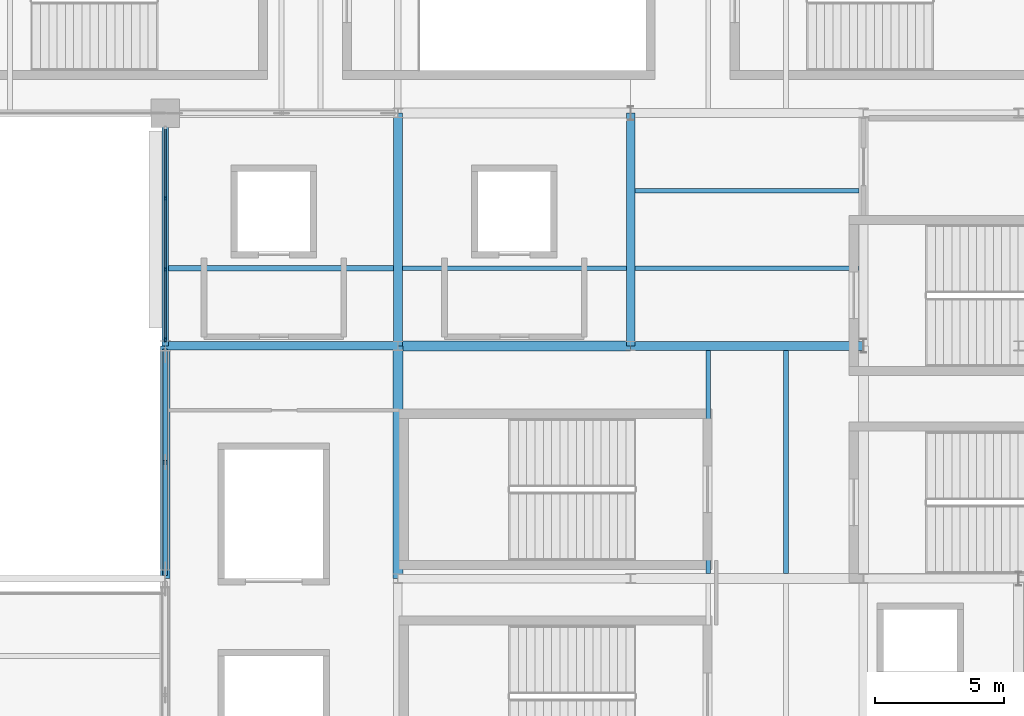
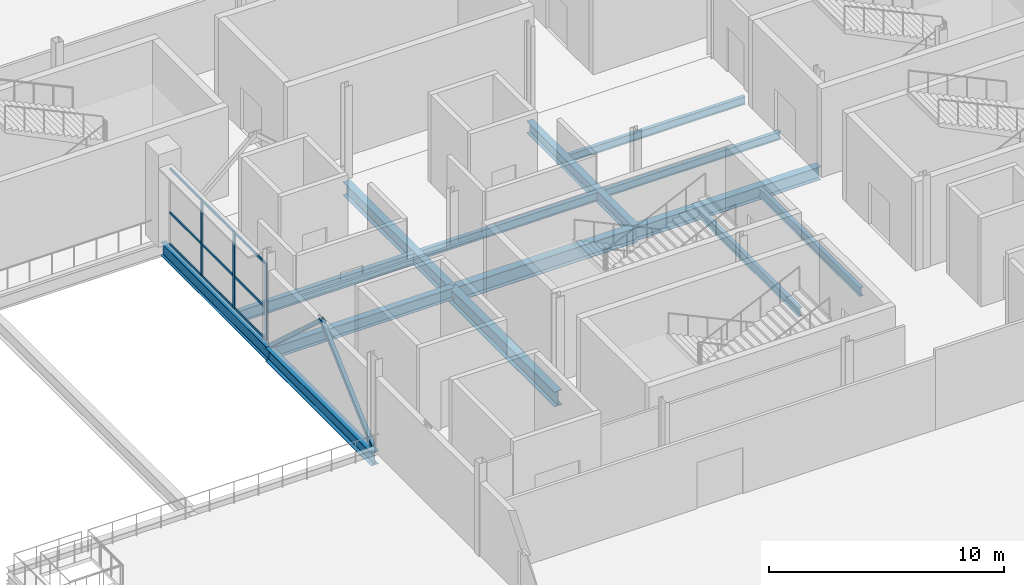
# One storey, part 26 of 69: 14 beams, 14 members, 1 element without a shape of its own.
"""IFC4 building model written with IfcOpenShell, lengths in metres."""

from ifc_helpers import new_model, si_unit, direction, frame, origin, origin_2d, place, context, subcontext, project, spatial, rectangle, hollow_rectangle, i_section, extrude, material, layer, layer_set, material_profile, profile_set, type_object, element, aggregate, save


model = new_model("IFC4")

# Units and contexts
model_context = context("Model", 3, precision=1e-05, world=origin(), true_north=direction((0.0, 1.0)))
body_context = subcontext(model_context, "Body", "Model", "MODEL_VIEW")
ifc_project = project(units=[si_unit("LENGTHUNIT", "METRE"), si_unit("AREAUNIT", "SQUARE_METRE"), si_unit("VOLUMEUNIT", "CUBIC_METRE"), si_unit("PLANEANGLEUNIT", "RADIAN"), si_unit("MASSUNIT", "GRAM", prefix="KILO")], contexts=[model_context])

# Site, building, storey
site_placement = place(None, origin())
site = spatial("IfcSite", under=ifc_project, at=site_placement, CompositionType="ELEMENT")
building_placement = place(site_placement, origin())
building = spatial("IfcBuilding", under=site, at=building_placement, Name="Qamarlyn Nura Convention Centre", CompositionType="ELEMENT")
storey_placement = place(building_placement, frame((0.0, 0.0, 15.60009765625)))
storey = spatial("IfcBuildingStorey", under=building, at=storey_placement, Name="L03", CompositionType="ELEMENT", Elevation=15.60009765625)

# Beams
ifc_material_1 = material(Name="Steel ASTM A992", Category="steel")
ifc_material_profile_1 = material_profile(ifc_material_1, i_section(OverallWidth=0.323974609375, OverallDepth=0.611083984375, WebThickness=0.0126953125, FlangeThickness=0.01904296875, FilletRadius=0.01611328125, at=origin_2d()), Name="W610X155")
ifc_profile_set_1 = profile_set([ifc_material_profile_1], Name="Steel ASTM A992")
beam_type_1 = type_object("IfcBeamType", Name="BM-GIRD-610", PredefinedType="BEAM", material=ifc_profile_set_1)
for number, where, z_axis, x_axis, name in (
    (1, (153.0, 72.0, -0.505615234375), (1.0, 0.0, 0.0), (0.0, 1.0, 0.0), "L03 girder J 13-14"),
    (2, (171.0, 72.0, -0.505615234375), (0.0, 1.0, 0.0), (-1.0, 0.0, 0.0), "L03 girder 15 J-K"),
):
    element("IfcBeam", number, at=place(storey_placement, frame(where, z_axis=z_axis, x_axis=x_axis)), inside=storey, type_object=beam_type_1, Name=name, PredefinedType="BEAM", context=body_context, shape_type="SweptSolid", body=[
        extrude(i_section(OverallWidth=0.323974609375, OverallDepth=0.611083984375, WebThickness=0.0126953125, FlangeThickness=0.01904296875, FilletRadius=0.01611328125, at=origin_2d()), origin(), (0.0, 0.0, 1.0), 9.0),
    ])
ifc_material_profile_2 = material_profile(ifc_material_1, i_section(OverallWidth=0.35498046875, OverallDepth=0.695068359375, WebThickness=0.015380859375, FlangeThickness=0.02490234375, FilletRadius=0.01806640625, at=origin_2d()), Name="W690X217")
ifc_profile_set_2 = profile_set([ifc_material_profile_2], Name="Steel ASTM A992")
beam_type_2 = type_object("IfcBeamType", Name="BM-GIRD-690A", PredefinedType="BEAM", material=ifc_profile_set_2)
for number, where, z_axis, x_axis, name in (
    (3, (171.0, 72.0, -0.547607421875), (1.0, 0.0, 0.0), (0.0, 1.0, 0.0), "L03 girder J 15-16"),
    (4, (153.0, 63.0, -0.547607421875), (0.0, 1.0, 0.0), (-1.0, 0.0, 0.0), "L03 girder 13 H-J"),
    (5, (162.0, 72.0, -0.547607421875), (0.0, 1.0, 0.0), (-1.0, 0.0, 0.0), "L03 girder 14 J-K"),
):
    element("IfcBeam", number, at=place(storey_placement, frame(where, z_axis=z_axis, x_axis=x_axis)), inside=storey, type_object=beam_type_2, Name=name, PredefinedType="BEAM", context=body_context, shape_type="SweptSolid", body=[
        extrude(i_section(OverallWidth=0.35498046875, OverallDepth=0.695068359375, WebThickness=0.015380859375, FlangeThickness=0.02490234375, FilletRadius=0.01806640625, at=origin_2d()), origin(), (0.0, 0.0, 1.0), 9.0),
    ])
ifc_material_profile_3 = material_profile(ifc_material_1, i_section(OverallWidth=0.25390625, OverallDepth=0.68408203125, WebThickness=0.012451171875, FlangeThickness=0.01904296875, FilletRadius=0.01806640625, at=origin_2d()), Name="W690X140")
ifc_profile_set_3 = profile_set([ifc_material_profile_3], Name="Steel ASTM A992")
beam_type_3 = type_object("IfcBeamType", Name="BM-GIRD-690B", PredefinedType="BEAM", material=ifc_profile_set_3)
beam_1_placement = place(storey_placement, frame((153.0, 72.0, -0.5419921875), z_axis=(0.0, 1.0, 0.0), x_axis=(-1.0, 0.0, 0.0)))
element("IfcBeam", 6, at=beam_1_placement, inside=storey, type_object=beam_type_3, Name="L03 girder 13 J-K", PredefinedType="BEAM", context=body_context, shape_type="SweptSolid", body=[
    extrude(i_section(OverallWidth=0.25390625, OverallDepth=0.68408203125, WebThickness=0.012451171875, FlangeThickness=0.01904296875, FilletRadius=0.01806640625, at=origin_2d()), origin(), (0.0, 0.0, 1.0), 9.0),
])
ifc_material_profile_4 = material_profile(ifc_material_1, i_section(OverallWidth=0.381103515625, OverallDepth=0.77294921875, WebThickness=0.0166015625, FlangeThickness=0.027587890625, FilletRadius=0.02001953125, at=origin_2d()), Name="W760X257")
ifc_profile_set_4 = profile_set([ifc_material_profile_4], Name="Steel ASTM A992")
beam_type_4 = type_object("IfcBeamType", Name="BM-GIRD-760", PredefinedType="BEAM", material=ifc_profile_set_4)
for number, where, z_axis, x_axis, name in (
    (7, (162.0, 72.0, -0.586669921875), (1.0, 0.0, 0.0), (0.0, 1.0, 0.0), "L03 girder J 14-15"),
    (8, (162.0, 63.0, -0.586669921875), (0.0, 1.0, 0.0), (-1.0, 0.0, 0.0), "L03 girder 14 H-J"),
):
    element("IfcBeam", number, at=place(storey_placement, frame(where, z_axis=z_axis, x_axis=x_axis)), inside=storey, type_object=beam_type_4, Name=name, PredefinedType="BEAM", context=body_context, shape_type="SweptSolid", body=[
        extrude(i_section(OverallWidth=0.381103515625, OverallDepth=0.77294921875, WebThickness=0.0166015625, FlangeThickness=0.027587890625, FilletRadius=0.02001953125, at=origin_2d()), origin(), (0.0, 0.0, 1.0), 9.0),
    ])
ifc_material_profile_5 = material_profile(ifc_material_1, i_section(OverallWidth=0.177978515625, OverallDepth=0.406982421875, WebThickness=0.0078125, FlangeThickness=0.0126953125, FilletRadius=0.011962890625, at=origin_2d()), Name="W410X60")
ifc_profile_set_5 = profile_set([ifc_material_profile_5], Name="Steel ASTM A992")
beam_type_5 = type_object("IfcBeamType", Name="BM-JOIST-410", PredefinedType="JOIST", material=ifc_profile_set_5)
for number, where, z_axis, x_axis, name in (
    (9, (171.162109375, 75.0, -0.403564453125), (1.0, 0.0, 0.0), (0.0, 1.0, 0.0), "L03 composite joist 15-16/J+1"),
    (10, (171.162109375, 78.0, -0.403564453125), (1.0, 0.0, 0.0), (0.0, 1.0, 0.0), "L03 composite joist 15-16/J+2"),
):
    element("IfcBeam", number, at=place(storey_placement, frame(where, z_axis=z_axis, x_axis=x_axis)), inside=storey, type_object=beam_type_5, Name=name, PredefinedType="JOIST", context=body_context, shape_type="SweptSolid", body=[
        extrude(i_section(OverallWidth=0.177978515625, OverallDepth=0.406982421875, WebThickness=0.0078125, FlangeThickness=0.0126953125, FilletRadius=0.011962890625, at=origin_2d()), origin(), (0.0, 0.0, 1.0), 8.660400390625),
    ])
ifc_material_profile_6 = material_profile(ifc_material_1, i_section(OverallWidth=0.18994140625, OverallDepth=0.45703125, WebThickness=0.009033203125, FlangeThickness=0.014404296875, FilletRadius=0.012939453125, at=origin_2d()), Name="W460X74")
ifc_profile_set_6 = profile_set([ifc_material_profile_6], Name="Steel ASTM A992")
beam_type_6 = type_object("IfcBeamType", Name="BM-JOIST-460", PredefinedType="JOIST", material=ifc_profile_set_6)
beam_2_placement = place(storey_placement, frame((162.177490234375, 75.0, -0.4287109375), z_axis=(1.0, 0.0, 0.0), x_axis=(0.0, 1.0, 0.0)))
element("IfcBeam", 11, at=beam_2_placement, inside=storey, type_object=beam_type_6, Name="L03 composite joist 14-15/J+1", PredefinedType="JOIST", context=body_context, shape_type="SweptSolid", body=[
    extrude(i_section(OverallWidth=0.18994140625, OverallDepth=0.45703125, WebThickness=0.009033203125, FlangeThickness=0.014404296875, FilletRadius=0.012939453125, at=origin_2d()), origin(), (0.0, 0.0, 1.0), 8.660400390625),
])
for number, where, z_axis, x_axis, name in (
    (12, (174.0, 63.1904296875, -0.4287109375), (0.0, 1.0, 0.0), (-1.0, 0.0, 0.0), "L03 secondary joist 15-16/H-J-36"),
    (13, (177.0, 63.1904296875, -0.4287109375), (0.0, 1.0, 0.0), (-1.0, 0.0, 0.0), "L03 secondary joist 15-16/H-J-37"),
):
    element("IfcBeam", number, at=place(storey_placement, frame(where, z_axis=z_axis, x_axis=x_axis)), inside=storey, type_object=beam_type_6, Name=name, PredefinedType="JOIST", context=body_context, shape_type="SweptSolid", body=[
        extrude(i_section(OverallWidth=0.18994140625, OverallDepth=0.45703125, WebThickness=0.009033203125, FlangeThickness=0.014404296875, FilletRadius=0.012939453125, at=origin_2d()), origin(), (0.0, 0.0, 1.0), 8.632080078125),
    ])
ifc_material_profile_7 = material_profile(ifc_material_1, i_section(OverallWidth=0.22802734375, OverallDepth=0.60791015625, WebThickness=0.01123046875, FlangeThickness=0.017333984375, FilletRadius=0.01611328125, at=origin_2d()), Name="W610X113")
ifc_profile_set_7 = profile_set([ifc_material_profile_7], Name="Steel ASTM A992")
beam_type_7 = type_object("IfcBeamType", Name="BM-JOIST-610", PredefinedType="JOIST", material=ifc_profile_set_7)
beam_3_placement = place(storey_placement, frame((153.126953125, 75.0, -0.504150390625), z_axis=(1.0, 0.0, 0.0), x_axis=(0.0, 1.0, 0.0)))
element("IfcBeam", 14, at=beam_3_placement, inside=storey, type_object=beam_type_7, Name="L03 composite joist 13-14/J+1", PredefinedType="JOIST", context=body_context, shape_type="SweptSolid", body=[
    extrude(i_section(OverallWidth=0.22802734375, OverallDepth=0.60791015625, WebThickness=0.01123046875, FlangeThickness=0.017333984375, FilletRadius=0.01611328125, at=origin_2d()), origin(), (0.0, 0.0, 1.0), 8.695556640625),
])

# Members
ifc_material_2 = material(Name="Steel ASTM A500 Grade C", Category="steel")
ifc_material_profile_8 = material_profile(ifc_material_2, hollow_rectangle(XDim=0.199951171875, YDim=0.199951171875, WallThickness=0.010009765625, InnerFilletRadius=0.010009765625, OuterFilletRadius=0.02001953125, at=origin_2d()), Name="HSS200X200X10")
ifc_profile_set_8 = profile_set([ifc_material_profile_8], Name="Steel ASTM A500 Grade C")
member_type_1 = type_object("IfcMemberType", Name="CBF-BRC-200", PredefinedType="BRACE", material=ifc_profile_set_8)
for number, where, z_axis, x_axis, name in (
    (15, (153.0, 63.179931640625, 0.0), (0.0, 0.740905561539, 0.671609223344), (-1.0, 0.0, 0.0), "L03 SCBF chevron brace CBF-E2L"),
    (16, (153.0, 71.820068359375, 0.0), (0.0, -0.740905561539, 0.671609223344), (1.0, 0.0, 0.0), "L03 SCBF chevron brace CBF-E2R"),
):
    element("IfcMember", number, at=place(storey_placement, frame(where, z_axis=z_axis, x_axis=x_axis)), inside=storey, type_object=member_type_1, Name=name, PredefinedType="BRACE", context=body_context, shape_type="SweptSolid", body=[
        extrude(hollow_rectangle(XDim=0.199951171875, YDim=0.199951171875, WallThickness=0.010009765625, InnerFilletRadius=0.010009765625, OuterFilletRadius=0.02001953125, at=origin_2d()), origin(), (0.0, 0.0, 1.0), 5.830810546875),
    ])

# Curtain wall, members
ifc_material_3 = material(Name="Double-silver low-E insulated glass", Category="glass")
ifc_layer = layer(ifc_material_3, 0.179931640625, Name="CW-UNIT-101")
ifc_layer_set = layer_set([ifc_layer], Name="Double-silver low-E insulated glass")
curtain_wall_type = type_object("IfcCurtainWallType", Name="CW-UNIT-101", PredefinedType="NOTDEFINED", material=ifc_layer_set)
curtain_wall_placement = place(storey_placement, origin())
curtain_wall = element("IfcCurtainWall", 17, at=curtain_wall_placement, inside=storey, type_object=curtain_wall_type, Name="L03 unitised curtain wall CRT-72-1", PredefinedType="NOTDEFINED")
ifc_material_4 = material(Name="Champagne-anodised marine aluminium", Category="aluminium")
ifc_material_profile_9 = material_profile(ifc_material_4, rectangle(XDim=0.06494140625, YDim=0.159912109375, at=origin_2d()), Name="ALU MULLION 65x160")
ifc_profile_set_9 = profile_set([ifc_material_profile_9], Name="Champagne-anodised marine aluminium")
member_type_2 = type_object("IfcMemberType", Name="CWM-160", PredefinedType="MULLION", material=ifc_profile_set_9)
member_1_placement = place(storey_placement, frame((153.0, 72.2451171875, 0.0), z_axis=(0.0, 0.0, 1.0), x_axis=(-1.0, 0.0, 0.0)))
member_1 = element("IfcMember", 18, at=member_1_placement, type_object=member_type_2, Name="CW101 mullion 1", PredefinedType="MULLION", context=body_context, shape_type="SweptSolid", body=[
    extrude(rectangle(XDim=0.06494140625, YDim=0.159912109375, at=origin_2d()), origin(), (0.0, 0.0, 1.0), 3.973876953125),
])
member_2_placement = place(storey_placement, frame((153.0, 74.958251953125, 0.0), z_axis=(0.0, 0.0, 1.0), x_axis=(-1.0, 0.0, 0.0)))
member_2 = element("IfcMember", 19, at=member_2_placement, type_object=member_type_2, Name="CW101 mullion 2", PredefinedType="MULLION", context=body_context, shape_type="SweptSolid", body=[
    extrude(rectangle(XDim=0.06494140625, YDim=0.159912109375, at=origin_2d()), origin(), (0.0, 0.0, 1.0), 3.973876953125),
])
member_3_placement = place(storey_placement, frame((153.0, 77.7041015625, 0.0), z_axis=(0.0, 0.0, 1.0), x_axis=(-1.0, 0.0, 0.0)))
member_3 = element("IfcMember", 20, at=member_3_placement, type_object=member_type_2, Name="CW101 mullion 3", PredefinedType="MULLION", context=body_context, shape_type="SweptSolid", body=[
    extrude(rectangle(XDim=0.06494140625, YDim=0.159912109375, at=origin_2d()), origin(), (0.0, 0.0, 1.0), 3.973876953125),
])
ifc_material_profile_10 = material_profile(ifc_material_4, rectangle(XDim=0.06494140625, YDim=0.1201171875, at=origin_2d()), Name="ALU TRANSOM 65x120")
ifc_profile_set_10 = profile_set([ifc_material_profile_10], Name="Champagne-anodised marine aluminium")
member_type_3 = type_object("IfcMemberType", Name="CWT-120", PredefinedType="USERDEFINED", material=ifc_profile_set_10)
member_4_placement = place(storey_placement, frame((153.0, 72.277587890625, 0.032470703125), z_axis=(0.0, 1.0, 0.0), x_axis=(-1.0, 0.0, 0.0)))
member_4 = element("IfcMember", 21, at=member_4_placement, type_object=member_type_3, Name="CW101 transom 1.1", ObjectType="TRANSOM", PredefinedType="USERDEFINED", context=body_context, shape_type="SweptSolid", body=[
    extrude(rectangle(XDim=0.06494140625, YDim=0.1201171875, at=origin_2d()), origin(), (0.0, 0.0, 1.0), 2.648193359375),
])
member_5_placement = place(storey_placement, frame((153.0, 72.277587890625, 1.6689453125), z_axis=(0.0, 1.0, 0.0), x_axis=(-1.0, 0.0, 0.0)))
member_5 = element("IfcMember", 22, at=member_5_placement, type_object=member_type_3, Name="CW101 transom 1.2", ObjectType="TRANSOM", PredefinedType="USERDEFINED", context=body_context, shape_type="SweptSolid", body=[
    extrude(rectangle(XDim=0.06494140625, YDim=0.1201171875, at=origin_2d()), origin(), (0.0, 0.0, 1.0), 2.648193359375),
])
member_6_placement = place(storey_placement, frame((153.0, 72.277587890625, 3.94140625), z_axis=(0.0, 1.0, 0.0), x_axis=(-1.0, 0.0, 0.0)))
member_6 = element("IfcMember", 23, at=member_6_placement, type_object=member_type_3, Name="CW101 transom 1.3", ObjectType="TRANSOM", PredefinedType="USERDEFINED", context=body_context, shape_type="SweptSolid", body=[
    extrude(rectangle(XDim=0.06494140625, YDim=0.1201171875, at=origin_2d()), origin(), (0.0, 0.0, 1.0), 2.648193359375),
])
member_7_placement = place(storey_placement, frame((153.0, 74.99072265625, 0.032470703125), z_axis=(0.0, 1.0, 0.0), x_axis=(-1.0, 0.0, 0.0)))
member_7 = element("IfcMember", 24, at=member_7_placement, type_object=member_type_3, Name="CW101 transom 2.1", ObjectType="TRANSOM", PredefinedType="USERDEFINED", context=body_context, shape_type="SweptSolid", body=[
    extrude(rectangle(XDim=0.06494140625, YDim=0.1201171875, at=origin_2d()), origin(), (0.0, 0.0, 1.0), 2.680908203125),
])
member_8_placement = place(storey_placement, frame((153.0, 74.99072265625, 1.6689453125), z_axis=(0.0, 1.0, 0.0), x_axis=(-1.0, 0.0, 0.0)))
member_8 = element("IfcMember", 25, at=member_8_placement, type_object=member_type_3, Name="CW101 transom 2.2", ObjectType="TRANSOM", PredefinedType="USERDEFINED", context=body_context, shape_type="SweptSolid", body=[
    extrude(rectangle(XDim=0.06494140625, YDim=0.1201171875, at=origin_2d()), origin(), (0.0, 0.0, 1.0), 2.680908203125),
])
member_9_placement = place(storey_placement, frame((153.0, 74.99072265625, 3.94140625), z_axis=(0.0, 1.0, 0.0), x_axis=(-1.0, 0.0, 0.0)))
member_9 = element("IfcMember", 26, at=member_9_placement, type_object=member_type_3, Name="CW101 transom 2.3", ObjectType="TRANSOM", PredefinedType="USERDEFINED", context=body_context, shape_type="SweptSolid", body=[
    extrude(rectangle(XDim=0.06494140625, YDim=0.1201171875, at=origin_2d()), origin(), (0.0, 0.0, 1.0), 2.680908203125),
])
member_10_placement = place(storey_placement, frame((153.0, 77.736572265625, 0.032470703125), z_axis=(0.0, 1.0, 0.0), x_axis=(-1.0, 0.0, 0.0)))
member_10 = element("IfcMember", 27, at=member_10_placement, type_object=member_type_3, Name="CW101 transom 3.1", ObjectType="TRANSOM", PredefinedType="USERDEFINED", context=body_context, shape_type="SweptSolid", body=[
    extrude(rectangle(XDim=0.06494140625, YDim=0.1201171875, at=origin_2d()), origin(), (0.0, 0.0, 1.0), 2.6484375),
])
member_11_placement = place(storey_placement, frame((153.0, 77.736572265625, 1.6689453125), z_axis=(0.0, 1.0, 0.0), x_axis=(-1.0, 0.0, 0.0)))
member_11 = element("IfcMember", 28, at=member_11_placement, type_object=member_type_3, Name="CW101 transom 3.2", ObjectType="TRANSOM", PredefinedType="USERDEFINED", context=body_context, shape_type="SweptSolid", body=[
    extrude(rectangle(XDim=0.06494140625, YDim=0.1201171875, at=origin_2d()), origin(), (0.0, 0.0, 1.0), 2.6484375),
])
member_12_placement = place(storey_placement, frame((153.0, 77.736572265625, 3.94140625), z_axis=(0.0, 1.0, 0.0), x_axis=(-1.0, 0.0, 0.0)))
member_12 = element("IfcMember", 29, at=member_12_placement, type_object=member_type_3, Name="CW101 transom 3.3", ObjectType="TRANSOM", PredefinedType="USERDEFINED", context=body_context, shape_type="SweptSolid", body=[
    extrude(rectangle(XDim=0.06494140625, YDim=0.1201171875, at=origin_2d()), origin(), (0.0, 0.0, 1.0), 2.6484375),
])
aggregate(curtain_wall, [member_1, member_2, member_3, member_4, member_5, member_6, member_7, member_8, member_9, member_10, member_11, member_12])

save(model, "model.ifc")
